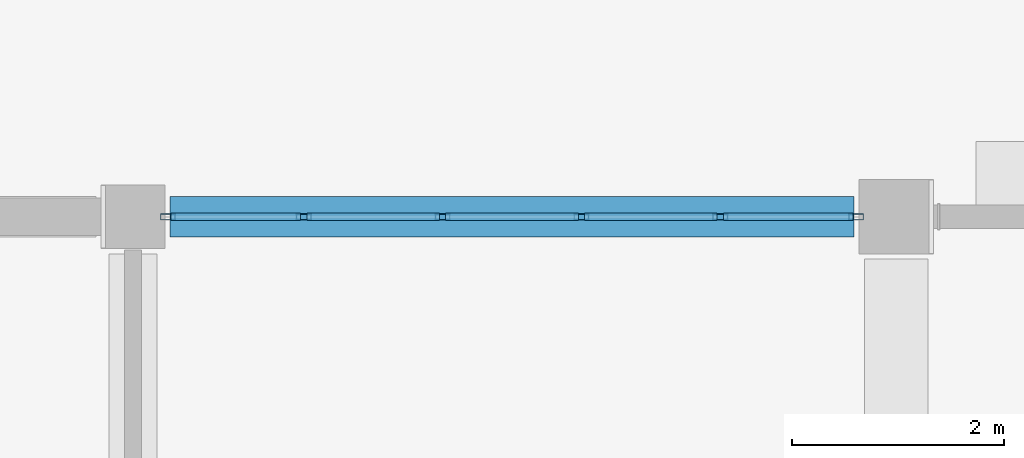
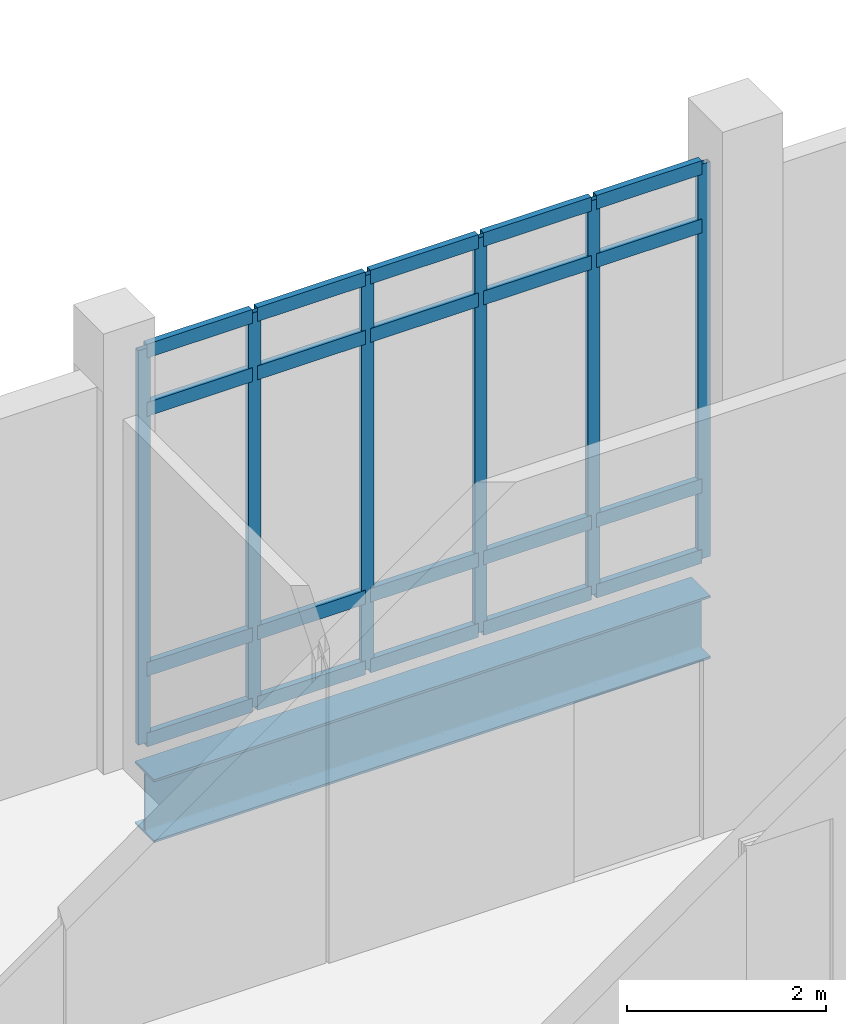
# One storey, part 136 of 229: 26 members, 1 beam, 1 element without a shape of its own.
"""IFC4 building model written with IfcOpenShell, lengths in metres."""

from ifc_helpers import new_model, si_unit, direction, frame, origin, origin_2d, place, context, subcontext, project, spatial, hollow_rectangle, i_section, extrude, material, layer, layer_set, material_profile, profile_set, type_object, element, aggregate, save


model = new_model("IFC4")

# Units and contexts
model_context = context("Model", 3, precision=1e-05, world=origin(), true_north=direction((0.0, 1.0)))
body_context = subcontext(model_context, "Body", "Model", "MODEL_VIEW")
ifc_project = project(units=[si_unit("LENGTHUNIT", "METRE"), si_unit("AREAUNIT", "SQUARE_METRE"), si_unit("VOLUMEUNIT", "CUBIC_METRE"), si_unit("PLANEANGLEUNIT", "RADIAN"), si_unit("MASSUNIT", "GRAM", prefix="KILO")], contexts=[model_context])

# Site, building, storey
site_placement = place(None, origin())
site = spatial("IfcSite", under=ifc_project, at=site_placement, CompositionType="ELEMENT")
building_placement = place(site_placement, origin())
building = spatial("IfcBuilding", under=site, at=building_placement, Name="Calvrana Isthmian Art Gallery", CompositionType="ELEMENT")
storey_placement = place(building_placement, origin())
storey = spatial("IfcBuildingStorey", under=building, at=storey_placement, Name="L00", CompositionType="ELEMENT", Elevation=0.0)

# Beam
ifc_material_1 = material(Name="Steel ASTM A992 Gr 50", Category="steel")
ifc_material_profile_1 = material_profile(ifc_material_1, i_section(OverallWidth=0.381103515625, OverallDepth=0.77197265625, WebThickness=0.0166015625, FlangeThickness=0.027099609375, FilletRadius=0.02490234375, at=origin_2d()), Name="W30X173")
ifc_profile_set_1 = profile_set([ifc_material_profile_1], Name="Steel ASTM A992 Gr 50")
beam_type = type_object("IfcBeamType", Name="BM-G-W30X173", PredefinedType="BEAM", material=ifc_profile_set_1)
beam_placement = place(storey_placement, frame((149.14990234375, 112.800048828125, -0.740966796875), z_axis=(1.0, 0.0, 0.0), x_axis=(0.0, 1.0, 0.0)))
element("IfcBeam", 1, at=beam_placement, inside=storey, type_object=beam_type, Name="Girder X L00 20-21/P", PredefinedType="BEAM", context=body_context, shape_type="SweptSolid", body=[
    extrude(i_section(OverallWidth=0.381103515625, OverallDepth=0.77197265625, WebThickness=0.0166015625, FlangeThickness=0.027099609375, FilletRadius=0.02490234375, at=origin_2d()), origin(), (0.0, 0.0, 1.0), 6.4501953125),
])

# Curtain wall, members
ifc_material_2 = material(Name="Anodized bronze aluminium 6063-T6", Category="aluminium")
ifc_layer = layer(ifc_material_2, 0.179931640625, Name="Anodized bronze aluminium 6063-T6")
ifc_layer_set = layer_set([ifc_layer], Name="Anodized bronze aluminium 6063-T6")
curtain_wall_type = type_object("IfcCurtainWallType", Name="CW-STICK-065X48", PredefinedType="NOTDEFINED", material=ifc_layer_set)
curtain_wall_placement = place(storey_placement, origin())
curtain_wall = element("IfcCurtainWall", 2, at=curtain_wall_placement, inside=storey, type_object=curtain_wall_type, Name="Curtain wall CW-048", PredefinedType="NOTDEFINED")
ifc_material_profile_2 = material_profile(ifc_material_2, hollow_rectangle(XDim=0.06005859375, YDim=0.139892578125, WallThickness=0.00390625, at=origin_2d()), Name="CWM60X140")
ifc_profile_set_2 = profile_set([ifc_material_profile_2], Name="Anodized bronze aluminium 6063-T6")
member_type_1 = type_object("IfcMemberType", Name="CWM-CWM60X140", PredefinedType="MULLION", material=ifc_profile_set_2)
member_1_placement = place(storey_placement, frame((149.1298828125, 112.800048828125, 0.0), z_axis=(0.0, 0.0, 1.0), x_axis=(0.0, 1.0, 0.0)))
member_1 = element("IfcMember", 3, at=member_1_placement, type_object=member_type_1, Name="CW-048 mullion 1", PredefinedType="MULLION", context=body_context, shape_type="SweptSolid", body=[
    extrude(hollow_rectangle(XDim=0.06005859375, YDim=0.139892578125, WallThickness=0.00390625, at=origin_2d()), origin(), (0.0, 0.0, 1.0), 4.835205078125),
])
member_2_placement = place(storey_placement, frame((150.409912109375, 112.800048828125, 0.0), z_axis=(0.0, 0.0, 1.0), x_axis=(0.0, 1.0, 0.0)))
member_2 = element("IfcMember", 4, at=member_2_placement, type_object=member_type_1, Name="CW-048 mullion 2", PredefinedType="MULLION", context=body_context, shape_type="SweptSolid", body=[
    extrude(hollow_rectangle(XDim=0.06005859375, YDim=0.139892578125, WallThickness=0.00390625, at=origin_2d()), origin(), (0.0, 0.0, 1.0), 4.835205078125),
])
member_3_placement = place(storey_placement, frame((151.719970703125, 112.800048828125, 0.0), z_axis=(0.0, 0.0, 1.0), x_axis=(0.0, 1.0, 0.0)))
member_3 = element("IfcMember", 5, at=member_3_placement, type_object=member_type_1, Name="CW-048 mullion 3", PredefinedType="MULLION", context=body_context, shape_type="SweptSolid", body=[
    extrude(hollow_rectangle(XDim=0.06005859375, YDim=0.139892578125, WallThickness=0.00390625, at=origin_2d()), origin(), (0.0, 0.0, 1.0), 4.835205078125),
])
member_4_placement = place(storey_placement, frame((153.030029296875, 112.800048828125, 0.0), z_axis=(0.0, 0.0, 1.0), x_axis=(0.0, 1.0, 0.0)))
member_4 = element("IfcMember", 6, at=member_4_placement, type_object=member_type_1, Name="CW-048 mullion 4", PredefinedType="MULLION", context=body_context, shape_type="SweptSolid", body=[
    extrude(hollow_rectangle(XDim=0.06005859375, YDim=0.139892578125, WallThickness=0.00390625, at=origin_2d()), origin(), (0.0, 0.0, 1.0), 4.835205078125),
])
member_5_placement = place(storey_placement, frame((154.340087890625, 112.800048828125, 0.0), z_axis=(0.0, 0.0, 1.0), x_axis=(0.0, 1.0, 0.0)))
member_5 = element("IfcMember", 7, at=member_5_placement, type_object=member_type_1, Name="CW-048 mullion 5", PredefinedType="MULLION", context=body_context, shape_type="SweptSolid", body=[
    extrude(hollow_rectangle(XDim=0.06005859375, YDim=0.139892578125, WallThickness=0.00390625, at=origin_2d()), origin(), (0.0, 0.0, 1.0), 4.835205078125),
])
member_6_placement = place(storey_placement, frame((155.6201171875, 112.800048828125, 0.0), z_axis=(0.0, 0.0, 1.0), x_axis=(0.0, 1.0, 0.0)))
member_6 = element("IfcMember", 8, at=member_6_placement, type_object=member_type_1, Name="CW-048 mullion 6", PredefinedType="MULLION", context=body_context, shape_type="SweptSolid", body=[
    extrude(hollow_rectangle(XDim=0.06005859375, YDim=0.139892578125, WallThickness=0.00390625, at=origin_2d()), origin(), (0.0, 0.0, 1.0), 4.835205078125),
])
ifc_material_profile_3 = material_profile(ifc_material_2, hollow_rectangle(XDim=0.070068359375, YDim=0.169921875, WallThickness=0.00439453125, at=origin_2d()), Name="CWT70X170")
ifc_profile_set_3 = profile_set([ifc_material_profile_3], Name="Anodized bronze aluminium 6063-T6")
member_type_2 = type_object("IfcMemberType", Name="CWT-CWT70X170", PredefinedType="USERDEFINED", material=ifc_profile_set_3)
member_7_placement = place(storey_placement, frame((149.159912109375, 112.800048828125, 0.034912109375), z_axis=(1.0, 0.0, 0.0), x_axis=(0.0, 1.0, 0.0)))
member_7 = element("IfcMember", 9, at=member_7_placement, type_object=member_type_2, Name="CW-048 transom 1.1", ObjectType="TRANSOM", PredefinedType="USERDEFINED", context=body_context, shape_type="SweptSolid", body=[
    extrude(hollow_rectangle(XDim=0.070068359375, YDim=0.169921875, WallThickness=0.00439453125, at=origin_2d()), origin(), (0.0, 0.0, 1.0), 1.219970703125),
])
member_8_placement = place(storey_placement, frame((149.159912109375, 112.800048828125, 0.89990234375), z_axis=(1.0, 0.0, 0.0), x_axis=(0.0, 1.0, 0.0)))
member_8 = element("IfcMember", 10, at=member_8_placement, type_object=member_type_2, Name="CW-048 transom 1.2", ObjectType="TRANSOM", PredefinedType="USERDEFINED", context=body_context, shape_type="SweptSolid", body=[
    extrude(hollow_rectangle(XDim=0.070068359375, YDim=0.169921875, WallThickness=0.00439453125, at=origin_2d()), origin(), (0.0, 0.0, 1.0), 1.219970703125),
])
member_9_placement = place(storey_placement, frame((149.159912109375, 112.800048828125, 4.085205078125), z_axis=(1.0, 0.0, 0.0), x_axis=(0.0, 1.0, 0.0)))
member_9 = element("IfcMember", 11, at=member_9_placement, type_object=member_type_2, Name="CW-048 transom 1.3", ObjectType="TRANSOM", PredefinedType="USERDEFINED", context=body_context, shape_type="SweptSolid", body=[
    extrude(hollow_rectangle(XDim=0.070068359375, YDim=0.169921875, WallThickness=0.00439453125, at=origin_2d()), origin(), (0.0, 0.0, 1.0), 1.219970703125),
])
member_10_placement = place(storey_placement, frame((149.159912109375, 112.800048828125, 4.80029296875), z_axis=(1.0, 0.0, 0.0), x_axis=(0.0, 1.0, 0.0)))
member_10 = element("IfcMember", 12, at=member_10_placement, type_object=member_type_2, Name="CW-048 transom 1.4", ObjectType="TRANSOM", PredefinedType="USERDEFINED", context=body_context, shape_type="SweptSolid", body=[
    extrude(hollow_rectangle(XDim=0.070068359375, YDim=0.169921875, WallThickness=0.00439453125, at=origin_2d()), origin(), (0.0, 0.0, 1.0), 1.219970703125),
])
member_11_placement = place(storey_placement, frame((150.43994140625, 112.800048828125, 0.034912109375), z_axis=(1.0, 0.0, 0.0), x_axis=(0.0, 1.0, 0.0)))
member_11 = element("IfcMember", 13, at=member_11_placement, type_object=member_type_2, Name="CW-048 transom 2.1", ObjectType="TRANSOM", PredefinedType="USERDEFINED", context=body_context, shape_type="SweptSolid", body=[
    extrude(hollow_rectangle(XDim=0.070068359375, YDim=0.169921875, WallThickness=0.00439453125, at=origin_2d()), origin(), (0.0, 0.0, 1.0), 1.25),
])
member_12_placement = place(storey_placement, frame((150.43994140625, 112.800048828125, 0.89990234375), z_axis=(1.0, 0.0, 0.0), x_axis=(0.0, 1.0, 0.0)))
member_12 = element("IfcMember", 14, at=member_12_placement, type_object=member_type_2, Name="CW-048 transom 2.2", ObjectType="TRANSOM", PredefinedType="USERDEFINED", context=body_context, shape_type="SweptSolid", body=[
    extrude(hollow_rectangle(XDim=0.070068359375, YDim=0.169921875, WallThickness=0.00439453125, at=origin_2d()), origin(), (0.0, 0.0, 1.0), 1.25),
])
member_13_placement = place(storey_placement, frame((150.43994140625, 112.800048828125, 4.085205078125), z_axis=(1.0, 0.0, 0.0), x_axis=(0.0, 1.0, 0.0)))
member_13 = element("IfcMember", 15, at=member_13_placement, type_object=member_type_2, Name="CW-048 transom 2.3", ObjectType="TRANSOM", PredefinedType="USERDEFINED", context=body_context, shape_type="SweptSolid", body=[
    extrude(hollow_rectangle(XDim=0.070068359375, YDim=0.169921875, WallThickness=0.00439453125, at=origin_2d()), origin(), (0.0, 0.0, 1.0), 1.25),
])
member_14_placement = place(storey_placement, frame((150.43994140625, 112.800048828125, 4.80029296875), z_axis=(1.0, 0.0, 0.0), x_axis=(0.0, 1.0, 0.0)))
member_14 = element("IfcMember", 16, at=member_14_placement, type_object=member_type_2, Name="CW-048 transom 2.4", ObjectType="TRANSOM", PredefinedType="USERDEFINED", context=body_context, shape_type="SweptSolid", body=[
    extrude(hollow_rectangle(XDim=0.070068359375, YDim=0.169921875, WallThickness=0.00439453125, at=origin_2d()), origin(), (0.0, 0.0, 1.0), 1.25),
])
member_15_placement = place(storey_placement, frame((151.75, 112.800048828125, 0.034912109375), z_axis=(1.0, 0.0, 0.0), x_axis=(0.0, 1.0, 0.0)))
member_15 = element("IfcMember", 17, at=member_15_placement, type_object=member_type_2, Name="CW-048 transom 3.1", ObjectType="TRANSOM", PredefinedType="USERDEFINED", context=body_context, shape_type="SweptSolid", body=[
    extrude(hollow_rectangle(XDim=0.070068359375, YDim=0.169921875, WallThickness=0.00439453125, at=origin_2d()), origin(), (0.0, 0.0, 1.0), 1.25),
])
member_16_placement = place(storey_placement, frame((151.75, 112.800048828125, 0.89990234375), z_axis=(1.0, 0.0, 0.0), x_axis=(0.0, 1.0, 0.0)))
member_16 = element("IfcMember", 18, at=member_16_placement, type_object=member_type_2, Name="CW-048 transom 3.2", ObjectType="TRANSOM", PredefinedType="USERDEFINED", context=body_context, shape_type="SweptSolid", body=[
    extrude(hollow_rectangle(XDim=0.070068359375, YDim=0.169921875, WallThickness=0.00439453125, at=origin_2d()), origin(), (0.0, 0.0, 1.0), 1.25),
])
member_17_placement = place(storey_placement, frame((151.75, 112.800048828125, 4.085205078125), z_axis=(1.0, 0.0, 0.0), x_axis=(0.0, 1.0, 0.0)))
member_17 = element("IfcMember", 19, at=member_17_placement, type_object=member_type_2, Name="CW-048 transom 3.3", ObjectType="TRANSOM", PredefinedType="USERDEFINED", context=body_context, shape_type="SweptSolid", body=[
    extrude(hollow_rectangle(XDim=0.070068359375, YDim=0.169921875, WallThickness=0.00439453125, at=origin_2d()), origin(), (0.0, 0.0, 1.0), 1.25),
])
member_18_placement = place(storey_placement, frame((151.75, 112.800048828125, 4.80029296875), z_axis=(1.0, 0.0, 0.0), x_axis=(0.0, 1.0, 0.0)))
member_18 = element("IfcMember", 20, at=member_18_placement, type_object=member_type_2, Name="CW-048 transom 3.4", ObjectType="TRANSOM", PredefinedType="USERDEFINED", context=body_context, shape_type="SweptSolid", body=[
    extrude(hollow_rectangle(XDim=0.070068359375, YDim=0.169921875, WallThickness=0.00439453125, at=origin_2d()), origin(), (0.0, 0.0, 1.0), 1.25),
])
member_19_placement = place(storey_placement, frame((153.06005859375, 112.800048828125, 0.034912109375), z_axis=(1.0, 0.0, 0.0), x_axis=(0.0, 1.0, 0.0)))
member_19 = element("IfcMember", 21, at=member_19_placement, type_object=member_type_2, Name="CW-048 transom 4.1", ObjectType="TRANSOM", PredefinedType="USERDEFINED", context=body_context, shape_type="SweptSolid", body=[
    extrude(hollow_rectangle(XDim=0.070068359375, YDim=0.169921875, WallThickness=0.00439453125, at=origin_2d()), origin(), (0.0, 0.0, 1.0), 1.25),
])
member_20_placement = place(storey_placement, frame((153.06005859375, 112.800048828125, 0.89990234375), z_axis=(1.0, 0.0, 0.0), x_axis=(0.0, 1.0, 0.0)))
member_20 = element("IfcMember", 22, at=member_20_placement, type_object=member_type_2, Name="CW-048 transom 4.2", ObjectType="TRANSOM", PredefinedType="USERDEFINED", context=body_context, shape_type="SweptSolid", body=[
    extrude(hollow_rectangle(XDim=0.070068359375, YDim=0.169921875, WallThickness=0.00439453125, at=origin_2d()), origin(), (0.0, 0.0, 1.0), 1.25),
])
member_21_placement = place(storey_placement, frame((153.06005859375, 112.800048828125, 4.085205078125), z_axis=(1.0, 0.0, 0.0), x_axis=(0.0, 1.0, 0.0)))
member_21 = element("IfcMember", 23, at=member_21_placement, type_object=member_type_2, Name="CW-048 transom 4.3", ObjectType="TRANSOM", PredefinedType="USERDEFINED", context=body_context, shape_type="SweptSolid", body=[
    extrude(hollow_rectangle(XDim=0.070068359375, YDim=0.169921875, WallThickness=0.00439453125, at=origin_2d()), origin(), (0.0, 0.0, 1.0), 1.25),
])
member_22_placement = place(storey_placement, frame((153.06005859375, 112.800048828125, 4.80029296875), z_axis=(1.0, 0.0, 0.0), x_axis=(0.0, 1.0, 0.0)))
member_22 = element("IfcMember", 24, at=member_22_placement, type_object=member_type_2, Name="CW-048 transom 4.4", ObjectType="TRANSOM", PredefinedType="USERDEFINED", context=body_context, shape_type="SweptSolid", body=[
    extrude(hollow_rectangle(XDim=0.070068359375, YDim=0.169921875, WallThickness=0.00439453125, at=origin_2d()), origin(), (0.0, 0.0, 1.0), 1.25),
])
member_23_placement = place(storey_placement, frame((154.3701171875, 112.800048828125, 0.034912109375), z_axis=(1.0, 0.0, 0.0), x_axis=(0.0, 1.0, 0.0)))
member_23 = element("IfcMember", 25, at=member_23_placement, type_object=member_type_2, Name="CW-048 transom 5.1", ObjectType="TRANSOM", PredefinedType="USERDEFINED", context=body_context, shape_type="SweptSolid", body=[
    extrude(hollow_rectangle(XDim=0.070068359375, YDim=0.169921875, WallThickness=0.00439453125, at=origin_2d()), origin(), (0.0, 0.0, 1.0), 1.219970703125),
])
member_24_placement = place(storey_placement, frame((154.3701171875, 112.800048828125, 0.89990234375), z_axis=(1.0, 0.0, 0.0), x_axis=(0.0, 1.0, 0.0)))
member_24 = element("IfcMember", 26, at=member_24_placement, type_object=member_type_2, Name="CW-048 transom 5.2", ObjectType="TRANSOM", PredefinedType="USERDEFINED", context=body_context, shape_type="SweptSolid", body=[
    extrude(hollow_rectangle(XDim=0.070068359375, YDim=0.169921875, WallThickness=0.00439453125, at=origin_2d()), origin(), (0.0, 0.0, 1.0), 1.219970703125),
])
member_25_placement = place(storey_placement, frame((154.3701171875, 112.800048828125, 4.085205078125), z_axis=(1.0, 0.0, 0.0), x_axis=(0.0, 1.0, 0.0)))
member_25 = element("IfcMember", 27, at=member_25_placement, type_object=member_type_2, Name="CW-048 transom 5.3", ObjectType="TRANSOM", PredefinedType="USERDEFINED", context=body_context, shape_type="SweptSolid", body=[
    extrude(hollow_rectangle(XDim=0.070068359375, YDim=0.169921875, WallThickness=0.00439453125, at=origin_2d()), origin(), (0.0, 0.0, 1.0), 1.219970703125),
])
member_26_placement = place(storey_placement, frame((154.3701171875, 112.800048828125, 4.80029296875), z_axis=(1.0, 0.0, 0.0), x_axis=(0.0, 1.0, 0.0)))
member_26 = element("IfcMember", 28, at=member_26_placement, type_object=member_type_2, Name="CW-048 transom 5.4", ObjectType="TRANSOM", PredefinedType="USERDEFINED", context=body_context, shape_type="SweptSolid", body=[
    extrude(hollow_rectangle(XDim=0.070068359375, YDim=0.169921875, WallThickness=0.00439453125, at=origin_2d()), origin(), (0.0, 0.0, 1.0), 1.219970703125),
])
aggregate(curtain_wall, [member_1, member_2, member_3, member_4, member_5, member_6, member_7, member_8, member_9, member_10, member_11, member_12, member_13, member_14, member_15, member_16, member_17, member_18, member_19, member_20, member_21, member_22, member_23, member_24, member_25, member_26])

save(model, "model.ifc")
